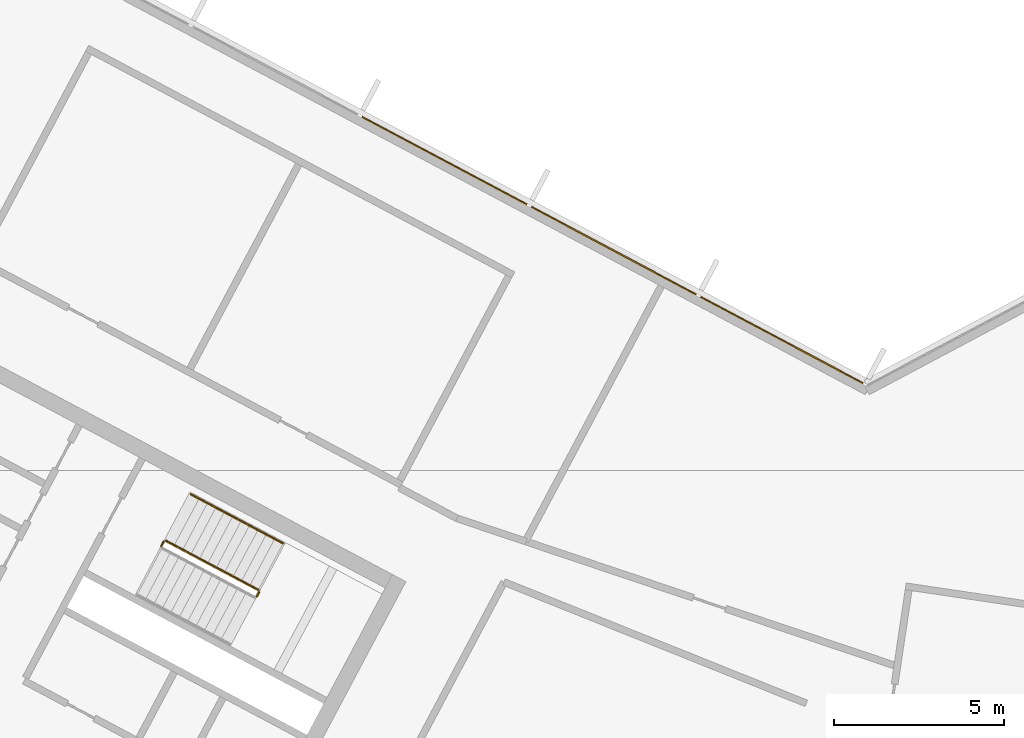
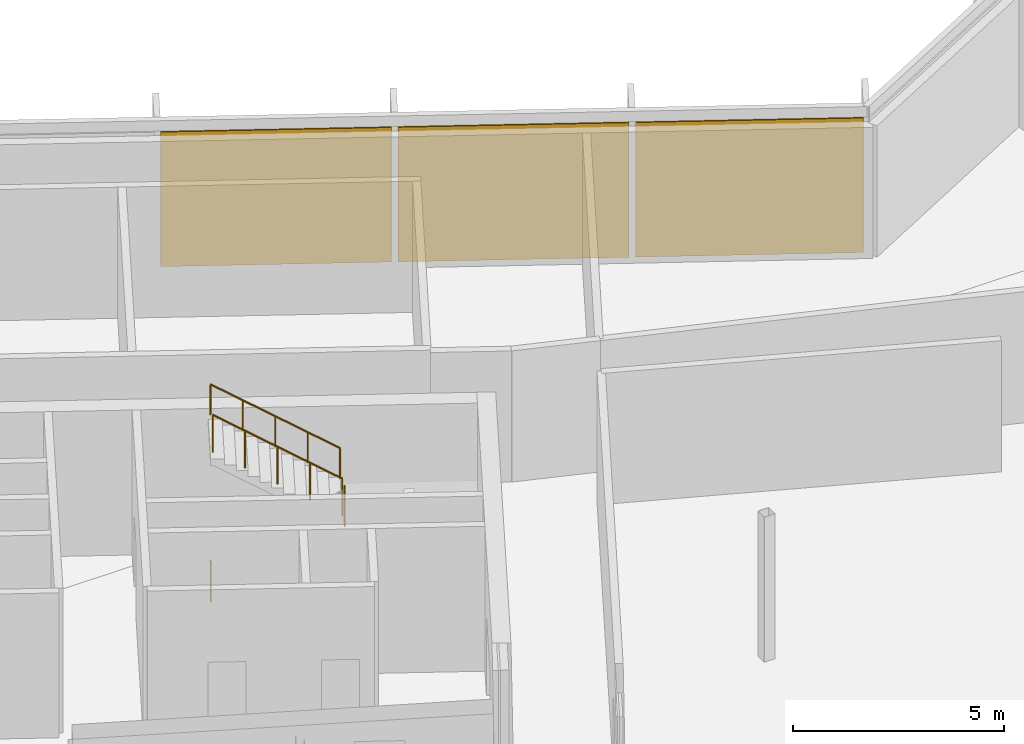
# One storey, part 14 of 16: 4 railings, 3 coverings, 1 element without a shape of its own.
"""IFC4 building model written with IfcOpenShell, lengths in metres."""

from ifc_helpers import new_model, si_unit, direction, frame, origin, origin_2d, place, context, subcontext, project, spatial, polyline, rectangle, outline, extrude, material, layer, layer_set, type_object, element, aggregate, save


model = new_model("IFC4")

# Units and contexts
model_context = context("Model", 3, precision=1e-05, world=origin(), true_north=direction((0.0, 1.0)))
body_context = subcontext(model_context, "Body", "Model", "MODEL_VIEW")
ifc_project = project(units=[si_unit("LENGTHUNIT", "METRE"), si_unit("AREAUNIT", "SQUARE_METRE"), si_unit("VOLUMEUNIT", "CUBIC_METRE"), si_unit("PLANEANGLEUNIT", "RADIAN"), si_unit("MASSUNIT", "GRAM", prefix="KILO")], contexts=[model_context])

# Site, building, storey
site_placement = place(None, origin())
site = spatial("IfcSite", under=ifc_project, at=site_placement, CompositionType="ELEMENT")
building_placement = place(site_placement, origin())
building = spatial("IfcBuilding", under=site, at=building_placement, Name="Cormorant Relay Tower", CompositionType="ELEMENT")
storey_placement = place(building_placement, frame((0.0, 0.0, 328.199951171875)))
storey = spatial("IfcBuildingStorey", under=building, at=storey_placement, Name="C1", CompositionType="ELEMENT", Elevation=328.199951171875)

# Curtain wall, coverings
ifc_material_1 = material(Name="Aluminium 6063-T6 anodised bronze", Category="aluminium")
ifc_layer_1 = layer(ifc_material_1, 0.199951171875)
ifc_layer_set_1 = layer_set([ifc_layer_1], Name="CW3 crown screen wall")
curtain_wall_type = type_object("IfcCurtainWallType", Name="CW3 crown screen wall", PredefinedType="NOTDEFINED", material=ifc_layer_set_1)
curtain_wall_placement = place(storey_placement, origin())
curtain_wall = element("IfcCurtainWall", 1, at=curtain_wall_placement, inside=storey, type_object=curtain_wall_type, Name="CW3 curtain wall 15", PredefinedType="NOTDEFINED")
ifc_material_2 = material(Name="Perforated bronze anodised aluminium screen", Category="aluminium")
ifc_layer_2 = layer(ifc_material_2, 0.0400390625)
ifc_layer_set_2 = layer_set([ifc_layer_2], Name="CW3 perforated bronze screen panel 40")
covering_type = type_object("IfcCoveringType", Name="CW3 perforated bronze screen panel 40", PredefinedType="CLADDING", material=ifc_layer_set_2)
covering_1_placement = place(storey_placement, frame((-2.51318359375, 25.142822265625, 0.0), z_axis=(0.0, 0.0, 1.0), x_axis=(-0.882947592859, 0.469471562786, 0.0)))
covering_1 = element("IfcCovering", 2, at=covering_1_placement, type_object=covering_type, Name="CW3 panel X00", PredefinedType="CLADDING", context=body_context, shape_type="SweptSolid", body=[
    extrude(rectangle(XDim=5.4140625, YDim=0.0400390625, at=origin_2d()), origin(), (0.0, 0.0, 1.0), 3.89990234375),
])
covering_2_placement = place(storey_placement, frame((-7.458984375, 27.772705078125, 0.0), z_axis=(0.0, 0.0, 1.0), x_axis=(-0.882947592859, 0.469471562786, 0.0)))
covering_2 = element("IfcCovering", 3, at=covering_2_placement, type_object=covering_type, Name="CW3 panel X01", PredefinedType="CLADDING", context=body_context, shape_type="SweptSolid", body=[
    extrude(rectangle(XDim=5.489013671875, YDim=0.0400390625, at=origin_2d()), origin(), (0.0, 0.0, 1.0), 3.89990234375),
])
covering_3_placement = place(storey_placement, frame((-12.43798828125, 30.419921875, 0.0), z_axis=(0.0, 0.0, 1.0), x_axis=(-0.882947592859, 0.469471562786, 0.0)))
covering_3 = element("IfcCovering", 4, at=covering_3_placement, type_object=covering_type, Name="CW3 panel X02", PredefinedType="CLADDING", context=body_context, shape_type="SweptSolid", body=[
    extrude(rectangle(XDim=5.489013671875, YDim=0.0400390625, at=origin_2d()), origin(), (0.0, 0.0, 1.0), 3.89990234375),
])
aggregate(curtain_wall, [covering_1, covering_2, covering_3])

# Railings
ifc_material_3 = material(Name="Steel ASTM A572 Grade 50 (Fy 345 MPa)", Category="steel")
railing_type_1 = type_object("IfcRailingType", Name="Stair guard 1100", PredefinedType="GUARDRAIL", material=ifc_material_3)
railing_1_placement = place(storey_placement, frame((-17.96337890625, 17.592529296875, 2.10009765625)))
element("IfcRailing", 5, at=railing_1_placement, inside=storey, type_object=railing_type_1, Name="C1 A1 stair guard 2", PredefinedType="GUARDRAIL", context=body_context, shape_type="SweptSolid", body=[
    extrude(outline(polyline([(0.022216796875, 0.00927734375), (0.00927734375, 0.022216796875), (-0.00927734375, 0.022216796875), (-0.022216796875, 0.00927734375), (-0.022216796875, -0.00927734375), (-0.00927734375, -0.022216796875), (0.00927734375, -0.022216796875), (0.022216796875, -0.00927734375), (0.022216796875, 0.00927734375)])), frame((0.0, 0.0, 1.076171875), z_axis=(0.46856034887, 0.8834314911, 0.0), x_axis=(-0.8834314911, 0.46856034887, 0.0)), (0.0, 0.0, 1.0), 0.150146484375),
    extrude(outline(polyline([(0.019287109375, 0.008056640625), (0.008056640625, 0.019287109375), (-0.008056640625, 0.019287109375), (-0.019287109375, 0.008056640625), (-0.019287109375, -0.008056640625), (-0.008056640625, -0.019287109375), (0.008056640625, -0.019287109375), (0.019287109375, -0.008056640625), (0.019287109375, 0.008056640625)])), origin(), (0.0, 0.0, 1.0), 1.052001953125),
    extrude(outline(polyline([(0.019287109375, 0.008056640625), (0.008056640625, 0.019287109375), (-0.008056640625, 0.019287109375), (-0.019287109375, 0.008056640625), (-0.019287109375, -0.008056640625), (-0.008056640625, -0.019287109375), (0.008056640625, -0.019287109375), (0.019287109375, -0.008056640625), (0.019287109375, 0.008056640625)])), frame((0.0703125, 0.132568359375, 0.0)), (0.0, 0.0, 1.0), 1.052001953125),
])
railing_2_placement = place(storey_placement, frame((-17.913818359375, 17.792724609375, 2.275146484375)))
element("IfcRailing", 6, at=railing_2_placement, inside=storey, type_object=railing_type_1, Name="C1 A1 stair guard 3", PredefinedType="GUARDRAIL", context=body_context, shape_type="SweptSolid", body=[
    extrude(outline(polyline([(0.022216796875, 0.00927734375), (0.00927734375, 0.022216796875), (-0.00927734375, 0.022216796875), (-0.022216796875, 0.00927734375), (-0.022216796875, -0.00927734375), (-0.00927734375, -0.022216796875), (0.00927734375, -0.022216796875), (0.022216796875, -0.00927734375), (0.022216796875, 0.00927734375)])), frame((0.0, 0.0, 1.076171875), z_axis=(-0.748773950783, 0.398082353581, 0.529969820269), x_axis=(-0.469427602063, -0.882970965786, 0.0)), (0.0, 0.0, 1.0), 3.6318359375),
    extrude(outline(polyline([(0.019287109375, 0.008056640625), (0.008056640625, 0.019287109375), (-0.008056640625, 0.019287109375), (-0.019287109375, 0.008056640625), (-0.019287109375, -0.008056640625), (-0.008056640625, -0.019287109375), (0.008056640625, -0.019287109375), (0.019287109375, -0.008056640625), (0.019287109375, 0.008056640625)])), origin(), (0.0, 0.0, 1.0), 1.052001953125),
    extrude(outline(polyline([(0.019287109375, 0.008056640625), (0.008056640625, 0.019287109375), (-0.008056640625, 0.019287109375), (-0.019287109375, 0.008056640625), (-0.019287109375, -0.008056640625), (-0.008056640625, -0.019287109375), (0.008056640625, -0.019287109375), (0.019287109375, -0.008056640625), (0.019287109375, 0.008056640625)])), frame((-0.679931640625, 0.361328125, 0.481201171875)), (0.0, 0.0, 1.0), 1.052001953125),
    extrude(outline(polyline([(0.019287109375, 0.008056640625), (0.008056640625, 0.019287109375), (-0.008056640625, 0.019287109375), (-0.019287109375, 0.008056640625), (-0.019287109375, -0.008056640625), (-0.008056640625, -0.019287109375), (0.008056640625, -0.019287109375), (0.019287109375, -0.008056640625), (0.019287109375, 0.008056640625)])), frame((-1.35986328125, 0.722900390625, 0.96240234375)), (0.0, 0.0, 1.0), 1.052001953125),
    extrude(outline(polyline([(0.019287109375, 0.008056640625), (0.008056640625, 0.019287109375), (-0.008056640625, 0.019287109375), (-0.019287109375, 0.008056640625), (-0.019287109375, -0.008056640625), (-0.008056640625, -0.019287109375), (0.008056640625, -0.019287109375), (0.019287109375, -0.008056640625), (0.019287109375, 0.008056640625)])), frame((-2.03955078125, 1.08447265625, 1.443603515625)), (0.0, 0.0, 1.0), 1.052001953125),
    extrude(outline(polyline([(0.019287109375, 0.008056640625), (0.008056640625, 0.019287109375), (-0.008056640625, 0.019287109375), (-0.019287109375, 0.008056640625), (-0.019287109375, -0.008056640625), (-0.008056640625, -0.019287109375), (0.008056640625, -0.019287109375), (0.019287109375, -0.008056640625), (0.019287109375, 0.008056640625)])), frame((-2.719482421875, 1.44580078125, 1.9248046875)), (0.0, 0.0, 1.0), 1.052001953125),
])
railing_3_placement = place(storey_placement, frame((-20.771240234375, 19.08544921875, 0.0)))
element("IfcRailing", 7, at=railing_3_placement, inside=storey, type_object=railing_type_1, Name="C1 A1 stair guard 4", PredefinedType="GUARDRAIL", context=body_context, shape_type="SweptSolid", body=[
    extrude(outline(polyline([(0.022216796875, 0.00927734375), (0.00927734375, 0.022216796875), (-0.00927734375, 0.022216796875), (-0.022216796875, 0.00927734375), (-0.022216796875, -0.00927734375), (-0.00927734375, -0.022216796875), (0.00927734375, -0.022216796875), (0.022216796875, -0.00927734375), (0.022216796875, 0.00927734375)])), frame((0.0, 0.0, 1.076171875), z_axis=(0.469828648786, 0.882757634224, 0.0), x_axis=(-0.882757634224, 0.469828648786, 0.0)), (0.0, 0.0, 1.0), 0.150146484375),
    extrude(outline(polyline([(0.019287109375, 0.008056640625), (0.008056640625, 0.019287109375), (-0.008056640625, 0.019287109375), (-0.019287109375, 0.008056640625), (-0.019287109375, -0.008056640625), (-0.008056640625, -0.019287109375), (0.008056640625, -0.019287109375), (0.019287109375, -0.008056640625), (0.019287109375, 0.008056640625)])), origin(), (0.0, 0.0, 1.0), 1.052001953125),
    extrude(outline(polyline([(0.019287109375, 0.008056640625), (0.008056640625, 0.019287109375), (-0.008056640625, 0.019287109375), (-0.019287109375, 0.008056640625), (-0.019287109375, -0.008056640625), (-0.008056640625, -0.019287109375), (0.008056640625, -0.019287109375), (0.019287109375, -0.008056640625), (0.019287109375, 0.008056640625)])), frame((0.070556640625, 0.132568359375, 0.0)), (0.0, 0.0, 1.0), 1.052001953125),
])
ifc_material_4 = material(Name="Steel ASTM A572 Grade 50 (Fy 345 MPa)", Category="steel")
railing_type_2 = type_object("IfcRailingType", Name="Stair handrail 900", PredefinedType="HANDRAIL", material=ifc_material_4)
railing_4_placement = place(storey_placement, frame((-17.18603515625, 19.1611328125, 2.275146484375)))
element("IfcRailing", 8, at=railing_4_placement, inside=storey, type_object=railing_type_2, Name="C1 A1 stair handrail 2", PredefinedType="HANDRAIL", context=body_context, shape_type="SweptSolid", body=[
    extrude(outline(polyline([(0.022216796875, 0.00927734375), (0.00927734375, 0.022216796875), (-0.00927734375, 0.022216796875), (-0.022216796875, 0.00927734375), (-0.022216796875, -0.00927734375), (-0.00927734375, -0.022216796875), (0.00927734375, -0.022216796875), (0.022216796875, -0.00927734375), (0.022216796875, 0.00927734375)])), frame((0.0, 0.0, 0.8759765625), z_axis=(-0.748753913104, 0.39813891977, 0.529955637931), x_axis=(-0.469489399267, -0.882938108802, 0.0)), (0.0, 0.0, 1.0), 3.632080078125),
    extrude(outline(polyline([(0.019287109375, 0.008056640625), (0.008056640625, 0.019287109375), (-0.008056640625, 0.019287109375), (-0.019287109375, 0.008056640625), (-0.019287109375, -0.008056640625), (-0.008056640625, -0.019287109375), (0.008056640625, -0.019287109375), (0.019287109375, -0.008056640625), (0.019287109375, 0.008056640625)])), origin(), (0.0, 0.0, 1.0), 0.851806640625),
    extrude(outline(polyline([(0.019287109375, 0.008056640625), (0.008056640625, 0.019287109375), (-0.008056640625, 0.019287109375), (-0.019287109375, 0.008056640625), (-0.019287109375, -0.008056640625), (-0.008056640625, -0.019287109375), (0.008056640625, -0.019287109375), (0.019287109375, -0.008056640625), (0.019287109375, 0.008056640625)])), frame((-0.679931640625, 0.361572265625, 0.481201171875)), (0.0, 0.0, 1.0), 0.851806640625),
    extrude(outline(polyline([(0.019287109375, 0.008056640625), (0.008056640625, 0.019287109375), (-0.008056640625, 0.019287109375), (-0.019287109375, 0.008056640625), (-0.019287109375, -0.008056640625), (-0.008056640625, -0.019287109375), (0.008056640625, -0.019287109375), (0.019287109375, -0.008056640625), (0.019287109375, 0.008056640625)])), frame((-1.35986328125, 0.72314453125, 0.96240234375)), (0.0, 0.0, 1.0), 0.851806640625),
    extrude(outline(polyline([(0.019287109375, 0.008056640625), (0.008056640625, 0.019287109375), (-0.008056640625, 0.019287109375), (-0.019287109375, 0.008056640625), (-0.019287109375, -0.008056640625), (-0.008056640625, -0.019287109375), (0.008056640625, -0.019287109375), (0.019287109375, -0.008056640625), (0.019287109375, 0.008056640625)])), frame((-2.03955078125, 1.08447265625, 1.443603515625)), (0.0, 0.0, 1.0), 0.851806640625),
    extrude(outline(polyline([(0.019287109375, 0.008056640625), (0.008056640625, 0.019287109375), (-0.008056640625, 0.019287109375), (-0.019287109375, 0.008056640625), (-0.019287109375, -0.008056640625), (-0.008056640625, -0.019287109375), (0.008056640625, -0.019287109375), (0.019287109375, -0.008056640625), (0.019287109375, 0.008056640625)])), frame((-2.719482421875, 1.446044921875, 1.9248046875)), (0.0, 0.0, 1.0), 0.851806640625),
])

save(model, "model.ifc")
